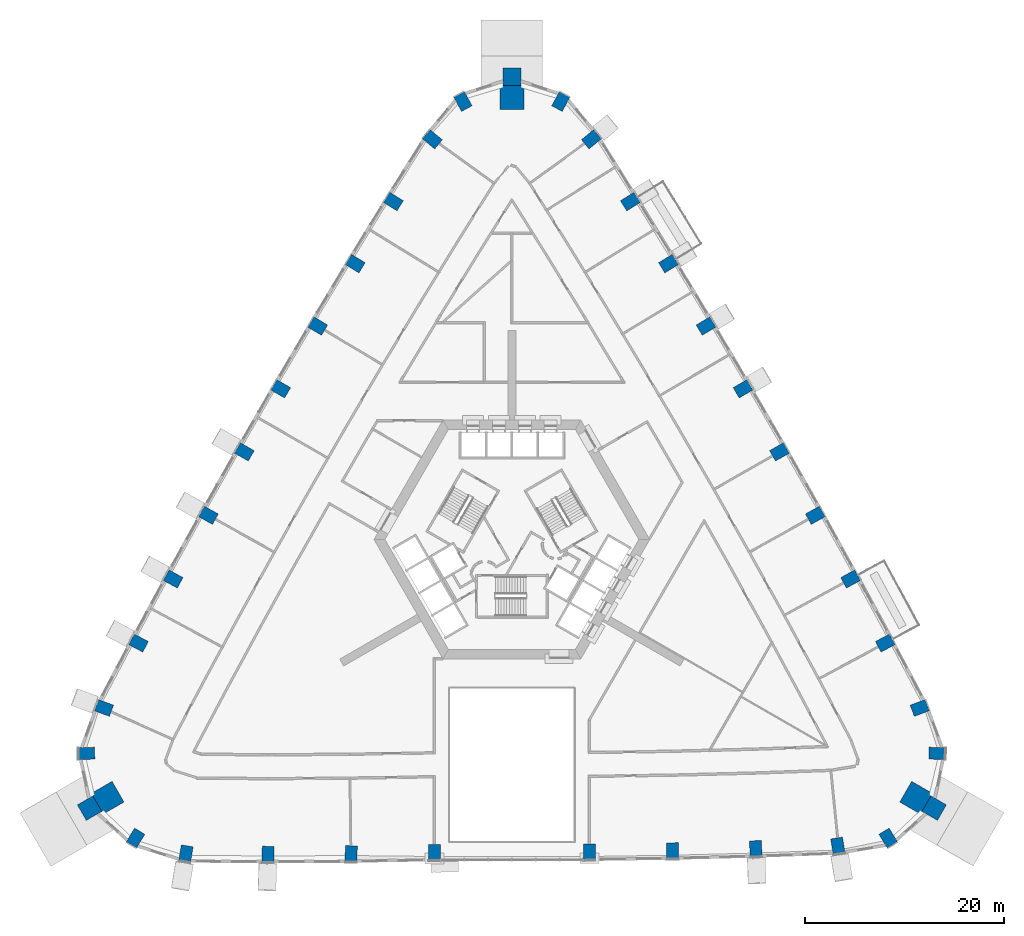
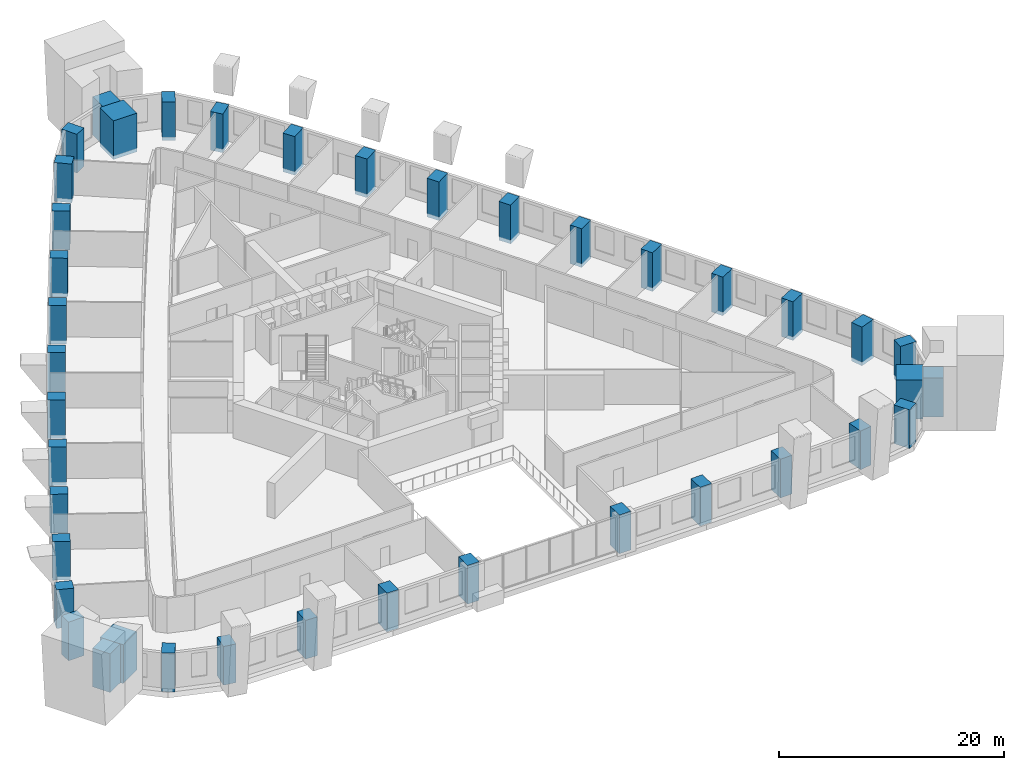
# One storey, part 1 of 17: 40 columns.
"""IFC4 building model written with IfcOpenShell, lengths in metres."""

from ifc_helpers import new_model, si_unit, direction, frame, origin, origin_2d, place, context, subcontext, project, spatial, rectangle, extrude, material, material_profile, profile_set, type_object, element, save


model = new_model("IFC4")

# Units and contexts
model_context = context("Model", 3, precision=1e-05, world=origin(), true_north=direction((0.0, 1.0)))
body_context = subcontext(model_context, "Body", "Model", "MODEL_VIEW")
ifc_project = project(units=[si_unit("LENGTHUNIT", "METRE"), si_unit("AREAUNIT", "SQUARE_METRE"), si_unit("VOLUMEUNIT", "CUBIC_METRE"), si_unit("PLANEANGLEUNIT", "RADIAN"), si_unit("MASSUNIT", "GRAM", prefix="KILO")], contexts=[model_context])

# Site, building, storey
site_placement = place(None, origin())
site = spatial("IfcSite", under=ifc_project, at=site_placement, CompositionType="ELEMENT")
building_placement = place(site_placement, origin())
building = spatial("IfcBuilding", under=site, at=building_placement, Name="Entoto Arch Interchange Tower", CompositionType="ELEMENT")
storey_placement = place(building_placement, frame((0.0, 0.0, 72.800048828125)))
storey = spatial("IfcBuildingStorey", under=building, at=storey_placement, Name="L15", CompositionType="ELEMENT", Elevation=72.800048828125)

# Columns
ifc_material_1 = material(Name="Concrete C60/75", Category="concrete")
ifc_material_profile_1 = material_profile(ifc_material_1, rectangle(XDim=1.199951171875, YDim=1.60009765625, at=origin_2d()))
ifc_profile_set_1 = profile_set([ifc_material_profile_1], Name="Concrete C60/75")
column_type_1 = type_object("IfcColumnType", Name="Column RC 1200x1600 C60/75", PredefinedType="COLUMN", material=ifc_profile_set_1)
for number, where, z_axis, x_axis, name in (
    (1, (-32.760986328125, -29.08203125, -0.400146484375), (0.0, 0.0, 1.0), (-0.98600476771, 0.166717119856, 0.0), "Column S01 L15"),
    (2, (-24.510009765625, -29.14306640625, -0.400146484375), (0.0, 0.0, 1.0), (-0.999434480961, 0.033626154508, 0.0), "Column S02 L15"),
    (3, (-16.14990234375, -29.0869140625, -0.400146484375), (0.0, 0.0, 1.0), (-0.99975435134, 0.022163866481, 0.0), "Column S03 L15"),
    (4, (-7.79296875, -28.946044921875, -0.400146484375), (0.0, 0.0, 1.0), (-0.999966355195, 0.008202955488, 0.0), "Column S04 L15"),
    (5, (7.79296875, -28.912109375, -0.400146484375), (0.0, 0.0, 1.0), (0.999966355195, 0.008202955488, 0.0), "Column S05 L15"),
    (6, (16.14990234375, -28.787109375, -0.400146484375), (0.0, 0.0, 1.0), (0.99975435134, 0.022163866481, 0.0), "Column S06 L15"),
    (7, (24.510009765625, -28.576904296875, -0.400146484375), (0.0, 0.0, 1.0), (0.999434480961, 0.033626154508, 0.0), "Column S07 L15"),
    (8, (32.760986328125, -28.2900390625, -0.400146484375), (0.0, 0.0, 1.0), (0.98600476771, 0.166717119856, 0.0), "Column S08 L15"),
    (9, (37.818115234375, -27.508056640625, -0.400146484375), (0.0, 0.0, 1.0), (0.854522294989, 0.519414716163, 0.0), "Column SE1 L15"),
    (10, (42.73095703125, -18.998046875, -0.400146484375), (0.0, 0.0, 1.0), (0.022565191802, 0.999745373642, 0.0), "Column SE3 L15"),
    (11, (40.989990234375, -14.43798828125, -0.400146484375), (0.0, 0.0, 1.0), (-0.348277574304, 0.937391450375, 0.0), "Column NE01 L15"),
    (12, (37.52587890625, -7.9140625, -0.400146484375), (0.0, 0.0, 1.0), (-0.46931745221, 0.883029517656, 0.0), "Column NE02 L15"),
    (13, (34.041015625, -1.47705078125, -0.400146484375), (0.0, 0.0, 1.0), (-0.478140110514, 0.878283573066, 0.0), "Column NE03 L15"),
    (14, (30.4970703125, 4.927978515625, -0.400146484375), (0.0, 0.0, 1.0), (-0.486914781103, 0.873449481048, 0.0), "Column NE04 L15"),
    (15, (26.89404296875, 11.301025390625, -0.400146484375), (0.0, 0.0, 1.0), (-0.495655741916, 0.868519076074, 0.0), "Column NE05 L15"),
    (16, (23.23388671875, 17.639892578125, -0.400146484375), (0.0, 0.0, 1.0), (-0.504331712594, 0.863510002068, 0.0), "Column NE06 L15"),
    (17, (19.51611328125, 23.947021484375, -0.400146484375), (0.0, 0.0, 1.0), (-0.512972048958, 0.858405310438, 0.0), "Column NE07 L15"),
    (18, (15.740966796875, 30.218994140625, -0.400146484375), (0.0, 0.0, 1.0), (-0.521545830745, 0.853223268806, 0.0), "Column NE08 L15"),
    (19, (11.908935546875, 36.45703125, -0.400146484375), (0.0, 0.0, 1.0), (-0.530067268476, 0.847955594881, 0.0), "Column NE09 L15"),
    (20, (7.990966796875, 42.718017578125, -0.400146484375), (0.0, 0.0, 1.0), (-0.637666022163, 0.770312952103, 0.0), "Column NE10 L15"),
    (21, (4.9140625, 46.5048828125, -0.400146484375), (0.0, 0.0, 1.0), (-0.877079103306, 0.48034596547, 0.0), "Column N1 L15"),
    (22, (-4.9140625, 46.5048828125, -0.400146484375), (0.0, 0.0, 1.0), (0.877079103306, 0.48034596547, 0.0), "Column N3 L15"),
    (23, (-7.990966796875, 42.718017578125, -0.400146484375), (0.0, 0.0, 1.0), (0.637666022163, 0.770312952103, 0.0), "Column NW01 L15"),
    (24, (-11.908935546875, 36.45703125, -0.400146484375), (0.0, 0.0, 1.0), (0.530067268476, 0.847955594881, 0.0), "Column NW02 L15"),
    (25, (-15.740966796875, 30.218994140625, -0.400146484375), (0.0, 0.0, 1.0), (0.521545830745, 0.853223268806, 0.0), "Column NW03 L15"),
    (26, (-19.51611328125, 23.947021484375, -0.400146484375), (0.0, 0.0, 1.0), (0.512972048958, 0.858405310438, 0.0), "Column NW04 L15"),
    (27, (-23.23388671875, 17.639892578125, -0.400146484375), (0.0, 0.0, 1.0), (0.504331712594, 0.863510002068, 0.0), "Column NW05 L15"),
    (28, (-26.89404296875, 11.301025390625, -0.400146484375), (0.0, 0.0, 1.0), (0.495655741916, 0.868519076074, 0.0), "Column NW06 L15"),
    (29, (-30.4970703125, 4.927978515625, -0.400146484375), (0.0, 0.0, 1.0), (0.486914781103, 0.873449481048, 0.0), "Column NW07 L15"),
    (30, (-34.041015625, -1.47705078125, -0.400146484375), (0.0, 0.0, 1.0), (0.478140110514, 0.878283573066, 0.0), "Column NW08 L15"),
    (31, (-37.52587890625, -7.9140625, -0.400146484375), (0.0, 0.0, 1.0), (0.46931745221, 0.883029517656, 0.0), "Column NW09 L15"),
    (32, (-40.989990234375, -14.43798828125, -0.400146484375), (0.0, 0.0, 1.0), (0.348277574304, 0.937391450375, 0.0), "Column NW10 L15"),
    (33, (-42.73095703125, -18.998046875, -0.400146484375), (0.0, 0.0, 1.0), (-0.022565191802, 0.999745373642, 0.0), "Column SW1 L15"),
    (34, (-37.818115234375, -27.508056640625, -0.400146484375), (0.0, 0.0, 1.0), (-0.854522294989, 0.519414716163, 0.0), "Column SW3 L15"),
):
    element("IfcColumn", number, at=place(storey_placement, frame(where, z_axis=z_axis, x_axis=x_axis)), inside=storey, type_object=column_type_1, Name=name, PredefinedType="COLUMN", context=body_context, shape_type="SweptSolid", body=[
        extrude(rectangle(XDim=1.199951171875, YDim=1.60009765625, at=origin_2d()), origin(), (0.0, 0.0, 1.0), 4.2001953125),
    ])
ifc_material_2 = material(Name="Precast concrete C40/50", Category="concrete")
ifc_material_profile_2 = material_profile(ifc_material_2, rectangle(XDim=1.800048828125, YDim=1.800048828125, at=origin_2d()))
ifc_profile_set_2 = profile_set([ifc_material_profile_2], Name="Precast concrete C40/50")
column_type_2 = type_object("IfcColumnType", Name="Frame post RC 1800x1800 precast C40/50", PredefinedType="COLUMN", material=ifc_profile_set_2)
for number, where, z_axis, x_axis, name in (
    (35, (42.44189453125, -24.50390625, -0.400146484375), (0.0, 0.0, 1.0), (-0.866025403784, 0.5, 0.0), "Frame post SE L15"),
    (36, (0.0, 49.008056640625, -0.400146484375), (0.0, 0.0, 1.0), (0.0, 1.0, 0.0), "Frame post N L15"),
    (37, (-42.44189453125, -24.50390625, -0.400146484375), (0.0, 0.0, 1.0), (0.866025403784, 0.5, 0.0), "Frame post SW L15"),
):
    element("IfcColumn", number, at=place(storey_placement, frame(where, z_axis=z_axis, x_axis=x_axis)), inside=storey, type_object=column_type_2, Name=name, PredefinedType="COLUMN", context=body_context, shape_type="SweptSolid", body=[
        extrude(rectangle(XDim=1.800048828125, YDim=1.800048828125, at=origin_2d()), origin(), (0.0, 0.0, 1.0), 4.2001953125),
    ])
ifc_material_profile_3 = material_profile(ifc_material_1, rectangle(XDim=2.39990234375, YDim=2.39990234375, at=origin_2d()))
ifc_profile_set_3 = profile_set([ifc_material_profile_3], Name="Concrete C60/75")
column_type_3 = type_object("IfcColumnType", Name="Mega column RC 2400x2400 C60/75", PredefinedType="COLUMN", material=ifc_profile_set_3)
for number, where, z_axis, x_axis, name in (
    (38, (40.623046875, -23.4541015625, -0.400146484375), (0.0, 0.0, 1.0), (-0.866025403784, 0.5, 0.0), "Corner mega column SE2 L15"),
    (39, (0.0, 46.907958984375, -0.400146484375), (0.0, 0.0, 1.0), (0.0, 1.0, 0.0), "Corner mega column N2 L15"),
    (40, (-40.623046875, -23.4541015625, -0.400146484375), (0.0, 0.0, 1.0), (0.866025403784, 0.5, 0.0), "Corner mega column SW2 L15"),
):
    element("IfcColumn", number, at=place(storey_placement, frame(where, z_axis=z_axis, x_axis=x_axis)), inside=storey, type_object=column_type_3, Name=name, PredefinedType="COLUMN", context=body_context, shape_type="SweptSolid", body=[
        extrude(rectangle(XDim=2.39990234375, YDim=2.39990234375, at=origin_2d()), origin(), (0.0, 0.0, 1.0), 4.2001953125),
    ])

save(model, "model.ifc")
